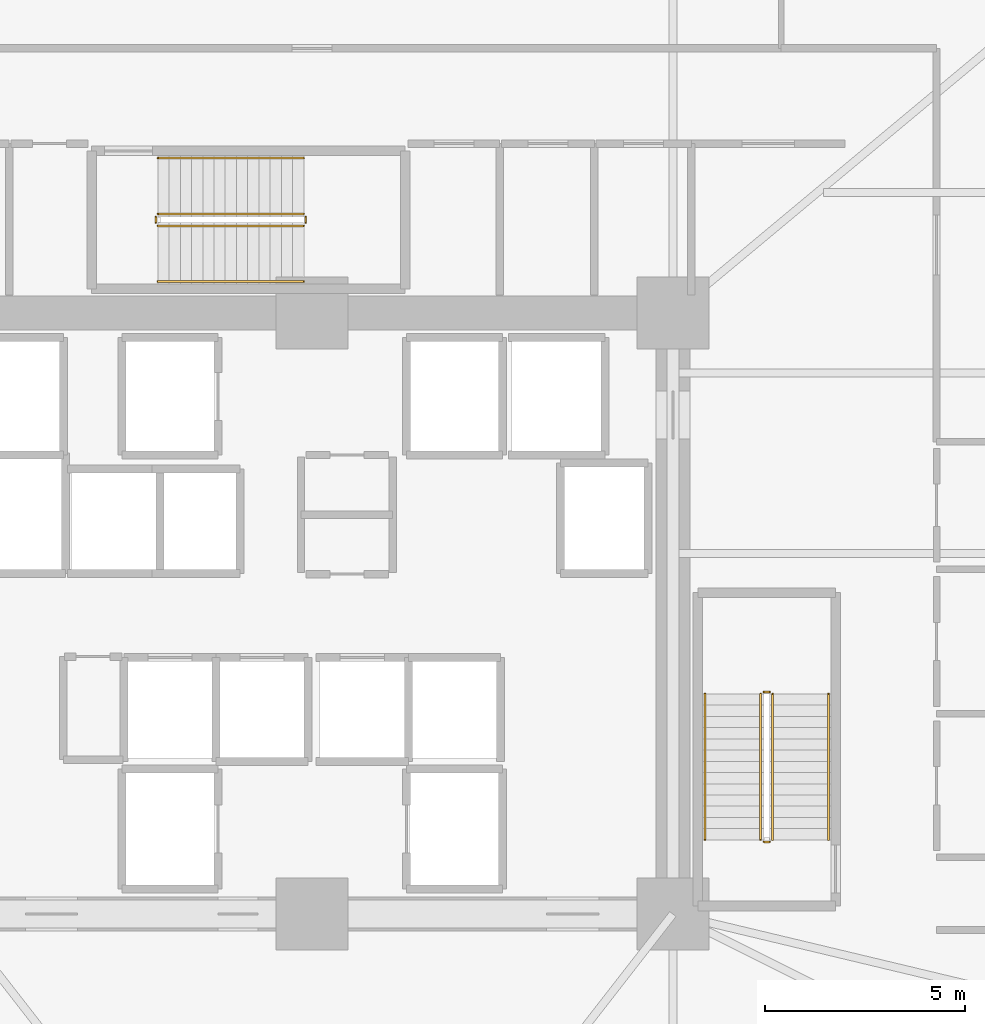
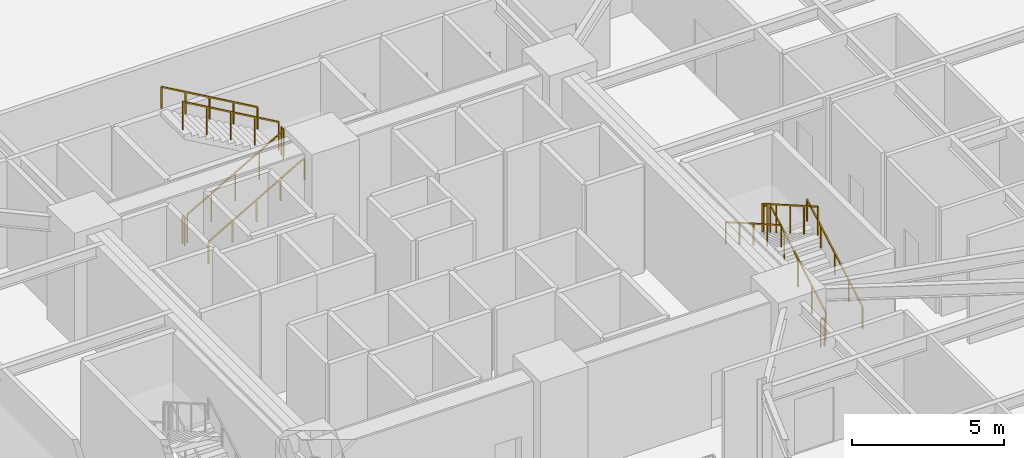
# One storey, part 14 of 16: 12 railings.
"""IFC4 building model written with IfcOpenShell, lengths in metres."""

from ifc_helpers import new_model, si_unit, direction, frame, origin, origin_2d, place, context, subcontext, project, spatial, rectangle, extrude, material, type_object, element, save


model = new_model("IFC4")

# Units and contexts
model_context = context("Model", 3, precision=1e-05, world=origin(), true_north=direction((0.0, 1.0)))
body_context = subcontext(model_context, "Body", "Model", "MODEL_VIEW")
ifc_project = project(units=[si_unit("LENGTHUNIT", "METRE"), si_unit("AREAUNIT", "SQUARE_METRE"), si_unit("VOLUMEUNIT", "CUBIC_METRE"), si_unit("PLANEANGLEUNIT", "RADIAN"), si_unit("MASSUNIT", "GRAM", prefix="KILO")], contexts=[model_context])

# Site, building, storey
site_placement = place(None, origin())
site = spatial("IfcSite", under=ifc_project, at=site_placement, CompositionType="ELEMENT")
building_placement = place(site_placement, origin())
building = spatial("IfcBuilding", under=site, at=building_placement, Name="Liaohun Quay Tower", CompositionType="ELEMENT")
storey_placement = place(building_placement, frame((0.0, 0.0, 14.39990234375)))
storey = spatial("IfcBuildingStorey", under=building, at=storey_placement, Name="L04", CompositionType="ELEMENT", Elevation=14.39990234375)

# Railings
ifc_material_1 = material(Name="Painted tubular steel", Category="steel")
railing_type_1 = type_object("IfcRailingType", Name="RLG-GUARD-STR", PredefinedType="GUARDRAIL", material=ifc_material_1)
railing_1_placement = place(storey_placement, frame((71.489990234375, 48.35009765625, 0.160888671875)))
element("IfcRailing", 1, at=railing_1_placement, inside=storey, type_object=railing_type_1, Name="L04 ST-2 stair guard 1", PredefinedType="GUARDRAIL", context=body_context, shape_type="SweptSolid", body=[
    extrude(rectangle(XDim=0.048095703125, YDim=0.048095703125, at=origin_2d()), frame((0.0, 0.0, 1.1259765625), z_axis=(0.0, 0.867300072446, 0.497785681127), x_axis=(-1.0, 0.0, 0.0)), (0.0, 0.0, 1.0), 4.19677734375),
    extrude(rectangle(XDim=0.0419921875, YDim=0.0419921875, at=origin_2d()), origin(), (0.0, 0.0, 1.0), 1.101806640625),
    extrude(rectangle(XDim=0.0419921875, YDim=0.0419921875, at=origin_2d()), frame((0.0, 0.909912109375, 0.522216796875)), (0.0, 0.0, 1.0), 1.101806640625),
    extrude(rectangle(XDim=0.0419921875, YDim=0.0419921875, at=origin_2d()), frame((0.0, 1.81982421875, 1.04443359375)), (0.0, 0.0, 1.0), 1.101806640625),
    extrude(rectangle(XDim=0.0419921875, YDim=0.0419921875, at=origin_2d()), frame((0.0, 2.72998046875, 1.56689453125)), (0.0, 0.0, 1.0), 1.101806640625),
    extrude(rectangle(XDim=0.0419921875, YDim=0.0419921875, at=origin_2d()), frame((0.0, 3.639892578125, 2.089111328125)), (0.0, 0.0, 1.0), 1.101806640625),
])
railing_2_placement = place(storey_placement, frame((71.409912109375, 52.0400390625, 2.25)))
element("IfcRailing", 2, at=railing_2_placement, inside=storey, type_object=railing_type_1, Name="L04 ST-2 stair guard 2", PredefinedType="GUARDRAIL", context=body_context, shape_type="SweptSolid", body=[
    extrude(rectangle(XDim=0.048095703125, YDim=0.048095703125, at=origin_2d()), frame((0.0, 0.0, 1.1259765625), z_axis=(-1.0, 0.0, 0.0), x_axis=(0.0, -1.0, 0.0)), (0.0, 0.0, 1.0), 0.139892578125),
    extrude(rectangle(XDim=0.0419921875, YDim=0.0419921875, at=origin_2d()), origin(), (0.0, 0.0, 1.0), 1.101806640625),
    extrude(rectangle(XDim=0.0419921875, YDim=0.0419921875, at=origin_2d()), frame((-0.139892578125, 0.0, 0.0)), (0.0, 0.0, 1.0), 1.101806640625),
])
railing_3_placement = place(storey_placement, frame((71.18994140625, 51.989990234375, 2.410888671875)))
element("IfcRailing", 3, at=railing_3_placement, inside=storey, type_object=railing_type_1, Name="L04 ST-2 stair guard 3", PredefinedType="GUARDRAIL", context=body_context, shape_type="SweptSolid", body=[
    extrude(rectangle(XDim=0.048095703125, YDim=0.048095703125, at=origin_2d()), frame((0.0, 0.0, 1.1259765625), z_axis=(0.0, -0.867300072446, 0.497785681127), x_axis=(1.0, 0.0, 0.0)), (0.0, 0.0, 1.0), 4.19677734375),
    extrude(rectangle(XDim=0.0419921875, YDim=0.0419921875, at=origin_2d()), origin(), (0.0, 0.0, 1.0), 1.101806640625),
    extrude(rectangle(XDim=0.0419921875, YDim=0.0419921875, at=origin_2d()), frame((0.0, -0.909912109375, 0.522216796875)), (0.0, 0.0, 1.0), 1.101806640625),
    extrude(rectangle(XDim=0.0419921875, YDim=0.0419921875, at=origin_2d()), frame((0.0, -1.81982421875, 1.04443359375)), (0.0, 0.0, 1.0), 1.101806640625),
    extrude(rectangle(XDim=0.0419921875, YDim=0.0419921875, at=origin_2d()), frame((0.0, -2.72998046875, 1.56689453125)), (0.0, 0.0, 1.0), 1.101806640625),
    extrude(rectangle(XDim=0.0419921875, YDim=0.0419921875, at=origin_2d()), frame((0.0, -3.639892578125, 2.089111328125)), (0.0, 0.0, 1.0), 1.101806640625),
])
railing_4_placement = place(storey_placement, frame((71.409912109375, 48.300048828125, 0.0)))
element("IfcRailing", 4, at=railing_4_placement, inside=storey, type_object=railing_type_1, Name="L04 ST-2 stair guard 4", PredefinedType="GUARDRAIL", context=body_context, shape_type="SweptSolid", body=[
    extrude(rectangle(XDim=0.048095703125, YDim=0.048095703125, at=origin_2d()), frame((0.0, 0.0, 1.1259765625), z_axis=(-1.0, 0.0, 0.0), x_axis=(0.0, -1.0, 0.0)), (0.0, 0.0, 1.0), 0.139892578125),
    extrude(rectangle(XDim=0.0419921875, YDim=0.0419921875, at=origin_2d()), origin(), (0.0, 0.0, 1.0), 1.101806640625),
    extrude(rectangle(XDim=0.0419921875, YDim=0.0419921875, at=origin_2d()), frame((-0.139892578125, 0.0, 0.0)), (0.0, 0.0, 1.0), 1.101806640625),
])
railing_5_placement = place(storey_placement, frame((56.14990234375, 63.669921875, 0.160888671875)))
element("IfcRailing", 5, at=railing_5_placement, inside=storey, type_object=railing_type_1, Name="L04 ST-3 stair guard 1", PredefinedType="GUARDRAIL", context=body_context, shape_type="SweptSolid", body=[
    extrude(rectangle(XDim=0.048095703125, YDim=0.048095703125, at=origin_2d()), frame((0.0, 0.0, 1.1259765625), z_axis=(0.867314486057, 0.0, 0.497760567216), x_axis=(0.0, 1.0, 0.0)), (0.0, 0.0, 1.0), 4.197021484375),
    extrude(rectangle(XDim=0.0419921875, YDim=0.0419921875, at=origin_2d()), origin(), (0.0, 0.0, 1.0), 1.101806640625),
    extrude(rectangle(XDim=0.0419921875, YDim=0.0419921875, at=origin_2d()), frame((0.91015625, 0.0, 0.522216796875)), (0.0, 0.0, 1.0), 1.101806640625),
    extrude(rectangle(XDim=0.0419921875, YDim=0.0419921875, at=origin_2d()), frame((1.820068359375, 0.0, 1.04443359375)), (0.0, 0.0, 1.0), 1.101806640625),
    extrude(rectangle(XDim=0.0419921875, YDim=0.0419921875, at=origin_2d()), frame((2.72998046875, 0.0, 1.56689453125)), (0.0, 0.0, 1.0), 1.101806640625),
    extrude(rectangle(XDim=0.0419921875, YDim=0.0419921875, at=origin_2d()), frame((3.64013671875, 0.0, 2.089111328125)), (0.0, 0.0, 1.0), 1.101806640625),
])
railing_6_placement = place(storey_placement, frame((59.840087890625, 63.75, 2.25)))
element("IfcRailing", 6, at=railing_6_placement, inside=storey, type_object=railing_type_1, Name="L04 ST-3 stair guard 2", PredefinedType="GUARDRAIL", context=body_context, shape_type="SweptSolid", body=[
    extrude(rectangle(XDim=0.048095703125, YDim=0.048095703125, at=origin_2d()), frame((0.0, 0.0, 1.1259765625), z_axis=(0.0, 1.0, 0.0), x_axis=(-1.0, 0.0, 0.0)), (0.0, 0.0, 1.0), 0.139892578125),
    extrude(rectangle(XDim=0.0419921875, YDim=0.0419921875, at=origin_2d()), origin(), (0.0, 0.0, 1.0), 1.101806640625),
    extrude(rectangle(XDim=0.0419921875, YDim=0.0419921875, at=origin_2d()), frame((0.0, 0.139892578125, 0.0)), (0.0, 0.0, 1.0), 1.101806640625),
])
railing_7_placement = place(storey_placement, frame((59.7900390625, 63.969970703125, 2.410888671875)))
element("IfcRailing", 7, at=railing_7_placement, inside=storey, type_object=railing_type_1, Name="L04 ST-3 stair guard 3", PredefinedType="GUARDRAIL", context=body_context, shape_type="SweptSolid", body=[
    extrude(rectangle(XDim=0.048095703125, YDim=0.048095703125, at=origin_2d()), frame((0.0, 0.0, 1.1259765625), z_axis=(-0.867314486057, 0.0, 0.497760567216), x_axis=(0.0, -1.0, 0.0)), (0.0, 0.0, 1.0), 4.197021484375),
    extrude(rectangle(XDim=0.0419921875, YDim=0.0419921875, at=origin_2d()), origin(), (0.0, 0.0, 1.0), 1.101806640625),
    extrude(rectangle(XDim=0.0419921875, YDim=0.0419921875, at=origin_2d()), frame((-0.91015625, 0.0, 0.522216796875)), (0.0, 0.0, 1.0), 1.101806640625),
    extrude(rectangle(XDim=0.0419921875, YDim=0.0419921875, at=origin_2d()), frame((-1.820068359375, 0.0, 1.04443359375)), (0.0, 0.0, 1.0), 1.101806640625),
    extrude(rectangle(XDim=0.0419921875, YDim=0.0419921875, at=origin_2d()), frame((-2.72998046875, 0.0, 1.56689453125)), (0.0, 0.0, 1.0), 1.101806640625),
    extrude(rectangle(XDim=0.0419921875, YDim=0.0419921875, at=origin_2d()), frame((-3.64013671875, 0.0, 2.089111328125)), (0.0, 0.0, 1.0), 1.101806640625),
])
railing_8_placement = place(storey_placement, frame((56.10009765625, 63.75, 0.0)))
element("IfcRailing", 8, at=railing_8_placement, inside=storey, type_object=railing_type_1, Name="L04 ST-3 stair guard 4", PredefinedType="GUARDRAIL", context=body_context, shape_type="SweptSolid", body=[
    extrude(rectangle(XDim=0.048095703125, YDim=0.048095703125, at=origin_2d()), frame((0.0, 0.0, 1.1259765625), z_axis=(0.0, 1.0, 0.0), x_axis=(-1.0, 0.0, 0.0)), (0.0, 0.0, 1.0), 0.139892578125),
    extrude(rectangle(XDim=0.0419921875, YDim=0.0419921875, at=origin_2d()), origin(), (0.0, 0.0, 1.0), 1.101806640625),
    extrude(rectangle(XDim=0.0419921875, YDim=0.0419921875, at=origin_2d()), frame((0.0, 0.139892578125, 0.0)), (0.0, 0.0, 1.0), 1.101806640625),
])
ifc_material_2 = material(Name="Brushed stainless steel", Category="steel")
railing_type_2 = type_object("IfcRailingType", Name="RLG-HND-STR", PredefinedType="HANDRAIL", material=ifc_material_2)
railing_9_placement = place(storey_placement, frame((72.8798828125, 48.35009765625, 0.160888671875)))
element("IfcRailing", 9, at=railing_9_placement, inside=storey, type_object=railing_type_2, Name="L04 ST-2 stair handrail 1", PredefinedType="HANDRAIL", context=body_context, shape_type="SweptSolid", body=[
    extrude(rectangle(XDim=0.048095703125, YDim=0.048095703125, at=origin_2d()), frame((0.0, 0.0, 0.8759765625), z_axis=(0.0, 0.867300072446, 0.497785681127), x_axis=(-1.0, 0.0, 0.0)), (0.0, 0.0, 1.0), 4.19677734375),
    extrude(rectangle(XDim=0.0419921875, YDim=0.0419921875, at=origin_2d()), origin(), (0.0, 0.0, 1.0), 0.851806640625),
    extrude(rectangle(XDim=0.0419921875, YDim=0.0419921875, at=origin_2d()), frame((0.0, 0.909912109375, 0.522216796875)), (0.0, 0.0, 1.0), 0.851806640625),
    extrude(rectangle(XDim=0.0419921875, YDim=0.0419921875, at=origin_2d()), frame((0.0, 1.81982421875, 1.04443359375)), (0.0, 0.0, 1.0), 0.851806640625),
    extrude(rectangle(XDim=0.0419921875, YDim=0.0419921875, at=origin_2d()), frame((0.0, 2.72998046875, 1.56689453125)), (0.0, 0.0, 1.0), 0.851806640625),
    extrude(rectangle(XDim=0.0419921875, YDim=0.0419921875, at=origin_2d()), frame((0.0, 3.639892578125, 2.089111328125)), (0.0, 0.0, 1.0), 0.851806640625),
])
railing_10_placement = place(storey_placement, frame((69.800048828125, 51.989990234375, 2.410888671875)))
element("IfcRailing", 10, at=railing_10_placement, inside=storey, type_object=railing_type_2, Name="L04 ST-2 stair handrail 2", PredefinedType="HANDRAIL", context=body_context, shape_type="SweptSolid", body=[
    extrude(rectangle(XDim=0.048095703125, YDim=0.048095703125, at=origin_2d()), frame((0.0, 0.0, 0.8759765625), z_axis=(0.0, -0.867300072446, 0.497785681127), x_axis=(1.0, 0.0, 0.0)), (0.0, 0.0, 1.0), 4.19677734375),
    extrude(rectangle(XDim=0.0419921875, YDim=0.0419921875, at=origin_2d()), origin(), (0.0, 0.0, 1.0), 0.851806640625),
    extrude(rectangle(XDim=0.0419921875, YDim=0.0419921875, at=origin_2d()), frame((0.0, -0.909912109375, 0.522216796875)), (0.0, 0.0, 1.0), 0.851806640625),
    extrude(rectangle(XDim=0.0419921875, YDim=0.0419921875, at=origin_2d()), frame((0.0, -1.81982421875, 1.04443359375)), (0.0, 0.0, 1.0), 0.851806640625),
    extrude(rectangle(XDim=0.0419921875, YDim=0.0419921875, at=origin_2d()), frame((0.0, -2.72998046875, 1.56689453125)), (0.0, 0.0, 1.0), 0.851806640625),
    extrude(rectangle(XDim=0.0419921875, YDim=0.0419921875, at=origin_2d()), frame((0.0, -3.639892578125, 2.089111328125)), (0.0, 0.0, 1.0), 0.851806640625),
])
railing_11_placement = place(storey_placement, frame((56.14990234375, 62.280029296875, 0.160888671875)))
element("IfcRailing", 11, at=railing_11_placement, inside=storey, type_object=railing_type_2, Name="L04 ST-3 stair handrail 1", PredefinedType="HANDRAIL", context=body_context, shape_type="SweptSolid", body=[
    extrude(rectangle(XDim=0.048095703125, YDim=0.048095703125, at=origin_2d()), frame((0.0, 0.0, 0.8759765625), z_axis=(0.867314486057, 0.0, 0.497760567216), x_axis=(0.0, 1.0, 0.0)), (0.0, 0.0, 1.0), 4.197021484375),
    extrude(rectangle(XDim=0.0419921875, YDim=0.0419921875, at=origin_2d()), origin(), (0.0, 0.0, 1.0), 0.851806640625),
    extrude(rectangle(XDim=0.0419921875, YDim=0.0419921875, at=origin_2d()), frame((0.91015625, 0.0, 0.522216796875)), (0.0, 0.0, 1.0), 0.851806640625),
    extrude(rectangle(XDim=0.0419921875, YDim=0.0419921875, at=origin_2d()), frame((1.820068359375, 0.0, 1.04443359375)), (0.0, 0.0, 1.0), 0.851806640625),
    extrude(rectangle(XDim=0.0419921875, YDim=0.0419921875, at=origin_2d()), frame((2.72998046875, 0.0, 1.56689453125)), (0.0, 0.0, 1.0), 0.851806640625),
    extrude(rectangle(XDim=0.0419921875, YDim=0.0419921875, at=origin_2d()), frame((3.64013671875, 0.0, 2.089111328125)), (0.0, 0.0, 1.0), 0.851806640625),
])
railing_12_placement = place(storey_placement, frame((59.7900390625, 65.360107421875, 2.410888671875)))
element("IfcRailing", 12, at=railing_12_placement, inside=storey, type_object=railing_type_2, Name="L04 ST-3 stair handrail 2", PredefinedType="HANDRAIL", context=body_context, shape_type="SweptSolid", body=[
    extrude(rectangle(XDim=0.048095703125, YDim=0.048095703125, at=origin_2d()), frame((0.0, 0.0, 0.8759765625), z_axis=(-0.867314486057, 0.0, 0.497760567216), x_axis=(0.0, -1.0, 0.0)), (0.0, 0.0, 1.0), 4.197021484375),
    extrude(rectangle(XDim=0.0419921875, YDim=0.0419921875, at=origin_2d()), origin(), (0.0, 0.0, 1.0), 0.851806640625),
    extrude(rectangle(XDim=0.0419921875, YDim=0.0419921875, at=origin_2d()), frame((-0.91015625, 0.0, 0.522216796875)), (0.0, 0.0, 1.0), 0.851806640625),
    extrude(rectangle(XDim=0.0419921875, YDim=0.0419921875, at=origin_2d()), frame((-1.820068359375, 0.0, 1.04443359375)), (0.0, 0.0, 1.0), 0.851806640625),
    extrude(rectangle(XDim=0.0419921875, YDim=0.0419921875, at=origin_2d()), frame((-2.72998046875, 0.0, 1.56689453125)), (0.0, 0.0, 1.0), 0.851806640625),
    extrude(rectangle(XDim=0.0419921875, YDim=0.0419921875, at=origin_2d()), frame((-3.64013671875, 0.0, 2.089111328125)), (0.0, 0.0, 1.0), 0.851806640625),
])

save(model, "model.ifc")
